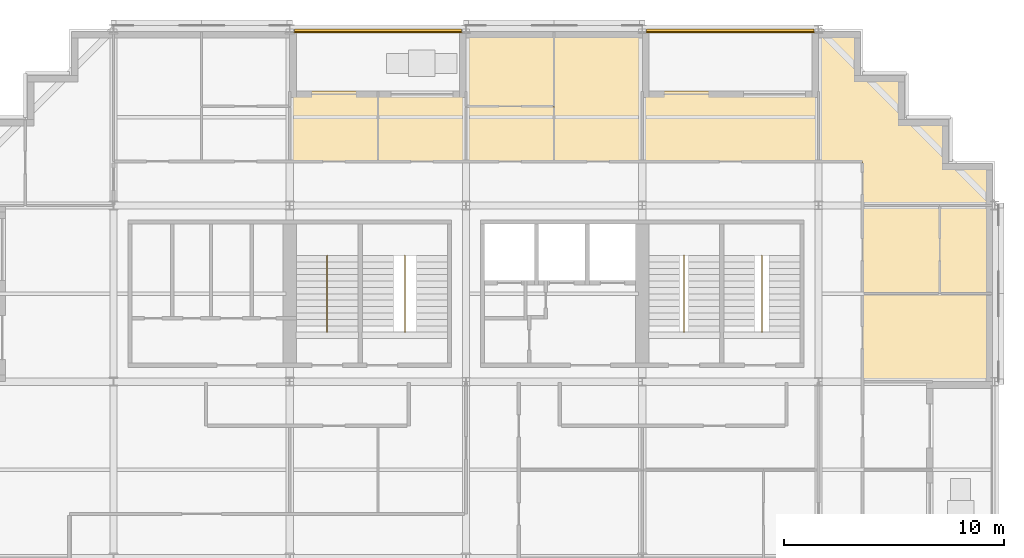
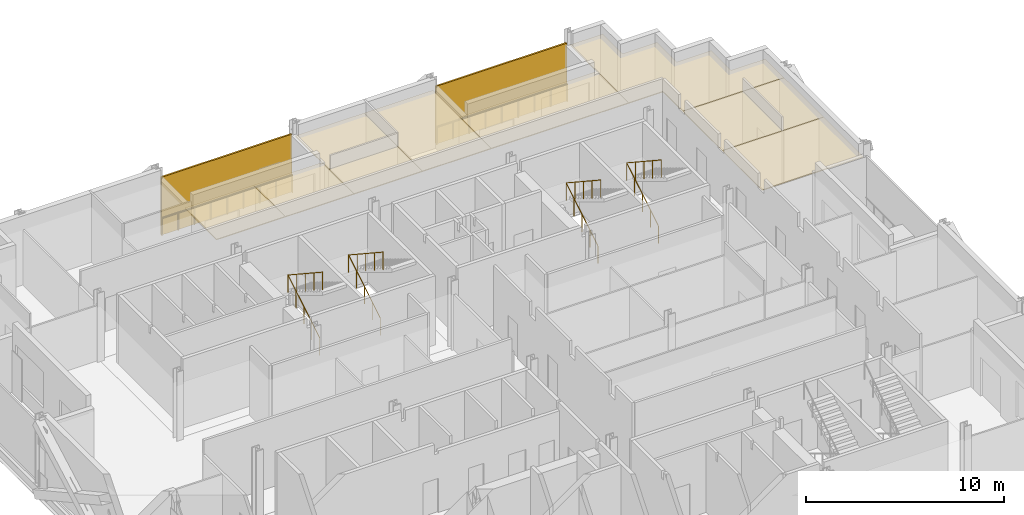
# One storey, part 14 of 15: 10 coverings, 6 railings, 2 shading devices.
"""IFC4 building model written with IfcOpenShell, lengths in metres."""

from ifc_helpers import new_model, si_unit, direction, frame, origin, origin_2d, place, context, subcontext, project, spatial, polyline, rectangle, circle, outline, extrude, material, layer, layer_set, type_object, element, save


model = new_model("IFC4")

# Units and contexts
model_context = context("Model", 3, precision=1e-05, world=origin(), true_north=direction((0.0, 1.0)))
body_context = subcontext(model_context, "Body", "Model", "MODEL_VIEW")
ifc_project = project(units=[si_unit("LENGTHUNIT", "METRE"), si_unit("AREAUNIT", "SQUARE_METRE"), si_unit("VOLUMEUNIT", "CUBIC_METRE"), si_unit("PLANEANGLEUNIT", "RADIAN"), si_unit("MASSUNIT", "GRAM", prefix="KILO")], contexts=[model_context])

# Site, building, storey
site_placement = place(None, origin())
site = spatial("IfcSite", under=ifc_project, at=site_placement, CompositionType="ELEMENT")
building_placement = place(site_placement, origin())
building = spatial("IfcBuilding", under=site, at=building_placement, Name="Immortelle Media Tower", CompositionType="ELEMENT")
storey_placement = place(building_placement, frame((0.0, 0.0, 61.199951171875)))
storey = spatial("IfcBuildingStorey", under=building, at=storey_placement, Name="L10", CompositionType="ELEMENT", Elevation=61.199951171875)

# Railings
ifc_material_1 = material(Name="Powder-coated aluminium fretwork panel, laminated glass backing", Category="aluminium")
railing_type_1 = type_object("IfcRailingType", Name="Fretwork balustrade 1100", PredefinedType="BALUSTRADE", material=ifc_material_1)
railing_1_placement = place(storey_placement, frame((39.802978515625, 47.860107421875, 0.0)))
element("IfcRailing", 1, at=railing_1_placement, inside=storey, type_object=railing_type_1, Name="Fretwork balustrade L10 N0", PredefinedType="BALUSTRADE", context=body_context, shape_type="SweptSolid", body=[
    extrude(circle(Radius=0.02490234375, at=origin_2d()), frame((0.0, 0.0, 1.0751953125), z_axis=(-1.0, 0.0, 0.0), x_axis=(0.0, -1.0, 0.0)), (0.0, 0.0, 1.0), 7.6025390625),
    extrude(circle(Radius=0.02001953125, at=origin_2d()), origin(), (0.0, 0.0, 1.0), 1.050048828125),
    extrude(circle(Radius=0.02001953125, at=origin_2d()), frame((-0.9501953125, 0.0, 0.0)), (0.0, 0.0, 1.0), 1.050048828125),
    extrude(circle(Radius=0.02001953125, at=origin_2d()), frame((-1.900634765625, 0.0, 0.0)), (0.0, 0.0, 1.0), 1.050048828125),
    extrude(circle(Radius=0.02001953125, at=origin_2d()), frame((-2.85107421875, 0.0, 0.0)), (0.0, 0.0, 1.0), 1.050048828125),
    extrude(circle(Radius=0.02001953125, at=origin_2d()), frame((-3.80126953125, 0.0, 0.0)), (0.0, 0.0, 1.0), 1.050048828125),
    extrude(circle(Radius=0.02001953125, at=origin_2d()), frame((-4.75146484375, 0.0, 0.0)), (0.0, 0.0, 1.0), 1.050048828125),
    extrude(circle(Radius=0.02001953125, at=origin_2d()), frame((-5.701904296875, 0.0, 0.0)), (0.0, 0.0, 1.0), 1.050048828125),
    extrude(circle(Radius=0.02001953125, at=origin_2d()), frame((-6.65234375, 0.0, 0.0)), (0.0, 0.0, 1.0), 1.050048828125),
    extrude(circle(Radius=0.02001953125, at=origin_2d()), frame((-7.6025390625, 0.0, 0.0)), (0.0, 0.0, 1.0), 1.050048828125),
])
railing_2_placement = place(storey_placement, frame((23.799560546875, 47.860107421875, 0.0)))
element("IfcRailing", 2, at=railing_2_placement, inside=storey, type_object=railing_type_1, Name="Fretwork balustrade L10 N2", PredefinedType="BALUSTRADE", context=body_context, shape_type="SweptSolid", body=[
    extrude(circle(Radius=0.02490234375, at=origin_2d()), frame((0.0, 0.0, 1.0751953125), z_axis=(-1.0, 0.0, 0.0), x_axis=(0.0, -1.0, 0.0)), (0.0, 0.0, 1.0), 7.593994140625),
    extrude(circle(Radius=0.02001953125, at=origin_2d()), origin(), (0.0, 0.0, 1.0), 1.050048828125),
    extrude(circle(Radius=0.02001953125, at=origin_2d()), frame((-0.94921875, 0.0, 0.0)), (0.0, 0.0, 1.0), 1.050048828125),
    extrude(circle(Radius=0.02001953125, at=origin_2d()), frame((-1.8984375, 0.0, 0.0)), (0.0, 0.0, 1.0), 1.050048828125),
    extrude(circle(Radius=0.02001953125, at=origin_2d()), frame((-2.84765625, 0.0, 0.0)), (0.0, 0.0, 1.0), 1.050048828125),
    extrude(circle(Radius=0.02001953125, at=origin_2d()), frame((-3.796875, 0.0, 0.0)), (0.0, 0.0, 1.0), 1.050048828125),
    extrude(circle(Radius=0.02001953125, at=origin_2d()), frame((-4.746337890625, 0.0, 0.0)), (0.0, 0.0, 1.0), 1.050048828125),
    extrude(circle(Radius=0.02001953125, at=origin_2d()), frame((-5.695556640625, 0.0, 0.0)), (0.0, 0.0, 1.0), 1.050048828125),
    extrude(circle(Radius=0.02001953125, at=origin_2d()), frame((-6.644775390625, 0.0, 0.0)), (0.0, 0.0, 1.0), 1.050048828125),
    extrude(circle(Radius=0.02001953125, at=origin_2d()), frame((-7.593994140625, 0.0, 0.0)), (0.0, 0.0, 1.0), 1.050048828125),
])

# Shading devices
ifc_material_2 = material(Name="Pale aluminium louvre blades", Category="aluminium")
ifc_layer_1 = layer(ifc_material_2, 0.10009765625)
ifc_layer_set_1 = layer_set([ifc_layer_1], Name="Pale aluminium louvre blades")
shading_device_type = type_object("IfcShadingDeviceType", Name="Jalousie screen 100", PredefinedType="JALOUSIE", material=ifc_layer_set_1)
shading_device_1_placement = place(storey_placement, frame((36.001708984375, 47.949951171875, 0.0), z_axis=(0.0, 0.0, 1.0), x_axis=(-1.0, 0.0, 0.0)))
element("IfcShadingDevice", 3, at=shading_device_1_placement, inside=storey, type_object=shading_device_type, Name="Jalousie screen L10 N0", PredefinedType="JALOUSIE", context=body_context, shape_type="SweptSolid", body=[
    extrude(rectangle(XDim=7.6025390625, YDim=0.10009765625, at=origin_2d()), origin(), (0.0, 0.0, 1.0), 3.556884765625),
])
shading_device_2_placement = place(storey_placement, frame((20.00244140625, 47.949951171875, 0.0), z_axis=(0.0, 0.0, 1.0), x_axis=(-1.0, 0.0, 0.0)))
element("IfcShadingDevice", 4, at=shading_device_2_placement, inside=storey, type_object=shading_device_type, Name="Jalousie screen L10 N2", PredefinedType="JALOUSIE", context=body_context, shape_type="SweptSolid", body=[
    extrude(rectangle(XDim=7.593994140625, YDim=0.10009765625, at=origin_2d()), origin(), (0.0, 0.0, 1.0), 3.556884765625),
])

# Railings
ifc_material_3 = material(Name="Stainless steel AISI 316", Category="steel")
railing_type_2 = type_object("IfcRailingType", Name="Stair guard 1100", PredefinedType="GUARDRAIL", material=ifc_material_3)
for number, where, name in (
    (5, (17.699951171875, 34.5400390625, 0.176025390625), "Stair guard NW1"),
    (6, (21.22509765625, 34.5400390625, 0.176025390625), "Stair guard NW2"),
    (7, (33.89990234375, 34.5400390625, 0.176025390625), "Stair guard NE1"),
    (8, (37.425048828125, 34.5400390625, 0.176025390625), "Stair guard NE2"),
):
    element("IfcRailing", number, at=place(storey_placement, frame(where)), inside=storey, type_object=railing_type_2, Name=name, PredefinedType="GUARDRAIL", context=body_context, shape_type="SweptSolid", body=[
        extrude(circle(Radius=0.02392578125, at=origin_2d()), frame((0.0, 0.0, 1.076171875), z_axis=(0.0, 0.854872504309, 0.518838126371), x_axis=(-1.0, 0.0, 0.0)), (0.0, 0.0, 1.0), 3.7314453125),
        extrude(circle(Radius=0.02392578125, at=origin_2d()), frame((0.0, 3.18994140625, 3.01220703125), z_axis=(0.0, -0.835568629342, 0.549386080693), x_axis=(1.0, 0.0, 0.0)), (0.0, 0.0, 1.0), 4.164794921875),
        extrude(circle(Radius=0.02099609375, at=origin_2d()), origin(), (0.0, 0.0, 1.0), 1.052001953125),
        extrude(circle(Radius=0.02099609375, at=origin_2d()), frame((0.0, 0.79736328125, 0.48388671875)), (0.0, 0.0, 1.0), 1.052001953125),
        extrude(circle(Radius=0.02099609375, at=origin_2d()), frame((0.0, 1.594970703125, 0.968017578125)), (0.0, 0.0, 1.0), 1.052001953125),
        extrude(circle(Radius=0.02099609375, at=origin_2d()), frame((0.0, 2.392578125, 1.4521484375)), (0.0, 0.0, 1.0), 1.052001953125),
        extrude(circle(Radius=0.02099609375, at=origin_2d()), frame((0.0, 3.18994140625, 1.93603515625)), (0.0, 0.0, 1.0), 1.052001953125),
        extrude(circle(Radius=0.02099609375, at=origin_2d()), frame((0.0, 2.31982421875, 2.508056640625)), (0.0, 0.0, 1.0), 1.052001953125),
        extrude(circle(Radius=0.02099609375, at=origin_2d()), frame((0.0, 1.449951171875, 3.080078125)), (0.0, 0.0, 1.0), 1.052001953125),
        extrude(circle(Radius=0.02099609375, at=origin_2d()), frame((0.0, 0.580078125, 3.652099609375)), (0.0, 0.0, 1.0), 1.052001953125),
        extrude(circle(Radius=0.02099609375, at=origin_2d()), frame((0.0, -0.2900390625, 4.22412109375)), (0.0, 0.0, 1.0), 1.052001953125),
    ])

# Coverings
ifc_material_4 = material(Name="Mineral fibre tile ceiling")
ifc_layer_2 = layer(ifc_material_4, 0.050048828125)
ifc_layer_set_2 = layer_set([ifc_layer_2], Name="Mineral fibre tile ceiling")
covering_type = type_object("IfcCoveringType", Name="Suspended ceiling 50", PredefinedType="CEILING", material=ifc_layer_set_2)
covering_1_placement = place(storey_placement, frame((0.0, 0.0, 3.341064453125)))
element("IfcCovering", 9, at=covering_1_placement, inside=storey, type_object=covering_type, Name="Ceiling L10-026", PredefinedType="CEILING", context=body_context, shape_type="SweptSolid", body=[
    extrude(outline(polyline([(42.0, 32.0), (42.0, 36.0), (47.89990234375, 36.0), (47.89990234375, 32.0), (45.199951171875, 32.0), (42.0, 32.0)])), origin(), (0.0, 0.0, 1.0), 0.050048828125),
])
covering_2_placement = place(storey_placement, frame((0.0, 0.0, 3.341064453125)))
element("IfcCovering", 10, at=covering_2_placement, inside=storey, type_object=covering_type, Name="Ceiling L10-027", PredefinedType="CEILING", context=body_context, shape_type="SweptSolid", body=[
    extrude(outline(polyline([(45.5, 40.0), (45.5, 36.0), (42.0, 36.0), (42.0, 40.0), (45.5, 40.0)])), origin(), (0.0, 0.0, 1.0), 0.050048828125),
])
covering_3_placement = place(storey_placement, frame((0.0, 0.0, 3.341064453125)))
element("IfcCovering", 11, at=covering_3_placement, inside=storey, type_object=covering_type, Name="Ceiling L10-028", PredefinedType="CEILING", context=body_context, shape_type="SweptSolid", body=[
    extrude(outline(polyline([(47.89990234375, 40.0), (47.89990234375, 36.0), (45.5, 36.0), (45.5, 40.0), (47.89990234375, 40.0)])), origin(), (0.0, 0.0, 1.0), 0.050048828125),
])
covering_4_placement = place(storey_placement, frame((0.0, 0.0, 3.341064453125)))
element("IfcCovering", 12, at=covering_4_placement, inside=storey, type_object=covering_type, Name="Ceiling L10-031", PredefinedType="CEILING", context=body_context, shape_type="SweptSolid", body=[
    extrude(outline(polyline([(45.89990234375, 41.89990234375), (47.89990234375, 41.89990234375), (47.89990234375, 40.0), (44.0, 40.0), (42.0, 40.0), (42.0, 42.0), (40.0, 42.0), (40.0, 45.199951171875), (40.0, 47.89990234375), (41.89990234375, 47.89990234375), (41.89990234375, 45.89990234375), (43.89990234375, 45.89990234375), (43.89990234375, 43.89990234375), (44.0, 43.89990234375), (45.89990234375, 43.89990234375), (45.89990234375, 41.89990234375)])), origin(), (0.0, 0.0, 1.0), 0.050048828125),
])
covering_5_placement = place(storey_placement, frame((0.0, 0.0, 3.341064453125)))
element("IfcCovering", 13, at=covering_5_placement, inside=storey, type_object=covering_type, Name="Ceiling L10-032", PredefinedType="CEILING", context=body_context, shape_type="SweptSolid", body=[
    extrude(outline(polyline([(16.0, 45.199951171875), (20.0, 45.199951171875), (20.0, 42.0), (16.0, 42.0), (16.0, 45.199951171875)])), origin(), (0.0, 0.0, 1.0), 0.050048828125),
])
covering_6_placement = place(storey_placement, frame((0.0, 0.0, 3.341064453125)))
element("IfcCovering", 14, at=covering_6_placement, inside=storey, type_object=covering_type, Name="Ceiling L10-033", PredefinedType="CEILING", context=body_context, shape_type="SweptSolid", body=[
    extrude(outline(polyline([(24.0, 45.199951171875), (24.0, 42.0), (20.0, 42.0), (20.0, 45.199951171875), (24.0, 45.199951171875)])), origin(), (0.0, 0.0, 1.0), 0.050048828125),
])
covering_7_placement = place(storey_placement, frame((0.0, 0.0, 3.341064453125)))
element("IfcCovering", 15, at=covering_7_placement, inside=storey, type_object=covering_type, Name="Ceiling L10-034", PredefinedType="CEILING", context=body_context, shape_type="SweptSolid", body=[
    extrude(outline(polyline([(32.0, 42.0), (32.0, 45.199951171875), (40.0, 45.199951171875), (40.0, 42.0), (32.0, 42.0)])), origin(), (0.0, 0.0, 1.0), 0.050048828125),
])
covering_8_placement = place(storey_placement, frame((0.0, 0.0, 3.341064453125)))
element("IfcCovering", 16, at=covering_8_placement, inside=storey, type_object=covering_type, Name="Ceiling L10-038", PredefinedType="CEILING", context=body_context, shape_type="SweptSolid", body=[
    extrude(outline(polyline([(28.0, 42.0), (24.0, 42.0), (24.0, 44.5), (28.0, 44.5), (28.0, 42.0)])), origin(), (0.0, 0.0, 1.0), 0.050048828125),
])
covering_9_placement = place(storey_placement, frame((0.0, 0.0, 3.341064453125)))
element("IfcCovering", 17, at=covering_9_placement, inside=storey, type_object=covering_type, Name="Ceiling L10-039", PredefinedType="CEILING", context=body_context, shape_type="SweptSolid", body=[
    extrude(outline(polyline([(24.0, 47.89990234375), (28.0, 47.89990234375), (28.0, 44.5), (24.0, 44.5), (24.0, 45.199951171875), (24.0, 47.89990234375)])), origin(), (0.0, 0.0, 1.0), 0.050048828125),
])
covering_10_placement = place(storey_placement, frame((0.0, 0.0, 3.341064453125)))
element("IfcCovering", 18, at=covering_10_placement, inside=storey, type_object=covering_type, Name="Ceiling L10-040", PredefinedType="CEILING", context=body_context, shape_type="SweptSolid", body=[
    extrude(outline(polyline([(32.0, 47.89990234375), (32.0, 45.199951171875), (32.0, 42.0), (28.0, 42.0), (28.0, 47.89990234375), (32.0, 47.89990234375)])), origin(), (0.0, 0.0, 1.0), 0.050048828125),
])

save(model, "model.ifc")
